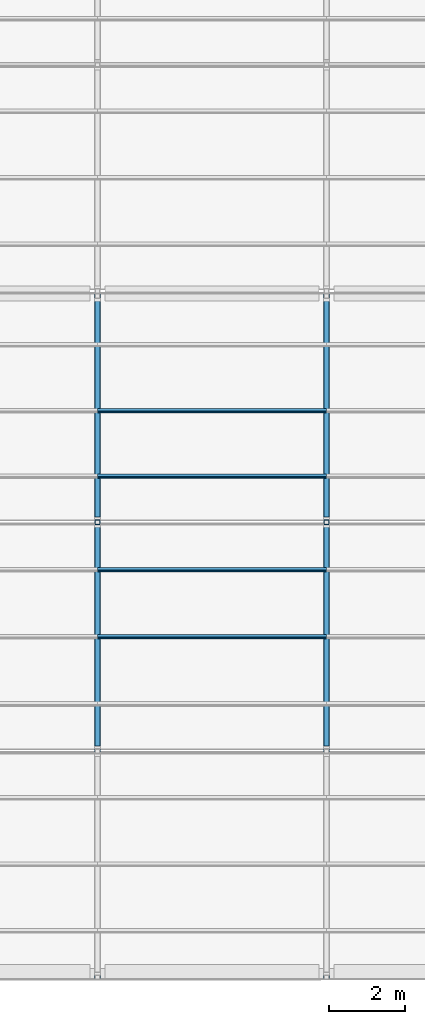
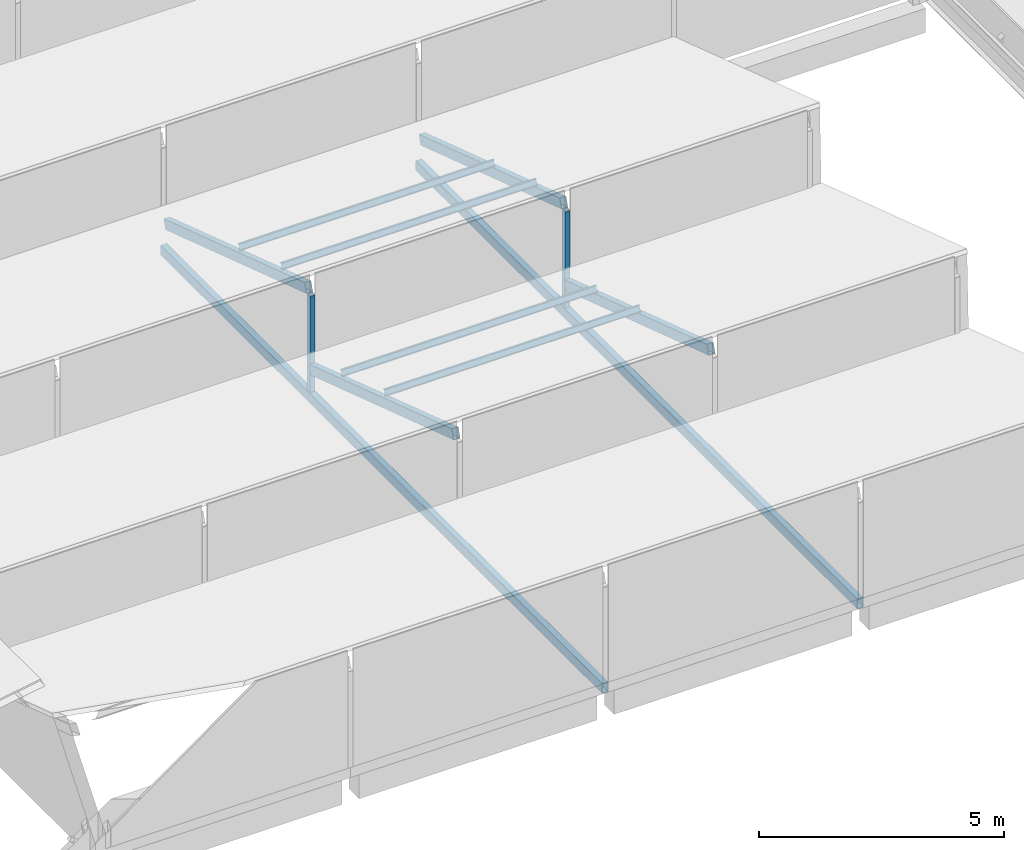
# One storey, part 8 of 118: 12 members.
"""IFC4 building model written with IfcOpenShell, lengths in metres."""

import ifcopenshell
import ifcopenshell.guid

model = None  # the IFC model being written
_history = None  # IfcOwnerHistory: only IFC2X3 demands one
_inside = {}  # id of a spatial element -> (the spatial element, [elements in it])
_under = {}  # id of a project, library or spatial element -> (it, [spatial elements below it])
_declared = {}  # id of a project -> (the project, [libraries it declares])
_typed = {}  # id of a type object -> (the type object, [elements of that type])
_made_of = {}  # id of a material, layer set ... -> (it, [elements and type objects made of it])


def new_model(schema):
    """Start an empty IFC model of exactly this schema.

    Asked for "IFC4X3", IfcOpenShell would pick the latest addendum, in which some entities
    have other attributes; the version numbers below select the first issue.
    IFC2X3 requires an IfcOwnerHistory on every rooted entity: one is made here for all.
    """
    global model, _history
    if schema == "IFC4X3":
        model = ifcopenshell.file(schema_version=(4, 3, 0, 0))
    else:
        model = ifcopenshell.file(schema=schema)
    _inside.clear()
    _under.clear()
    _declared.clear()
    _typed.clear()
    _made_of.clear()
    _history = None
    if model.schema == "IFC2X3":
        org = make("IfcOrganization", Name="unknown")
        user = make(
            "IfcPersonAndOrganization",
            ThePerson=make("IfcPerson", FamilyName="unknown"),
            TheOrganization=org,
        )
        app = make(
            "IfcApplication",
            ApplicationDeveloper=org,
            Version="unknown",
            ApplicationFullName="unknown",
            ApplicationIdentifier="unknown",
        )
        _history = make(
            "IfcOwnerHistory",
            OwningUser=user,
            OwningApplication=app,
            ChangeAction="ADDED",
            CreationDate=0,
        )
    return model


def make(cls, **values):
    """One entity of the class cls with the attributes given. An attribute that is None is left unset."""
    return model.create_entity(
        cls, **{name: value for name, value in values.items() if value is not None}
    )


def rooted(cls, **values):
    """An entity with a GlobalId (a new one), such as an element, a storey or a relation."""
    return make(cls, GlobalId=ifcopenshell.guid.new(), OwnerHistory=_history, **values)


def si_unit(unit_type, name, prefix=None):
    """IfcSIUnit, for example si_unit("LENGTHUNIT", "METRE", prefix="MILLI")."""
    return make("IfcSIUnit", UnitType=unit_type, Prefix=prefix, Name=name)


def assignment(units):
    """IfcUnitAssignment: the units of a project."""
    return None if units is None else make("IfcUnitAssignment", Units=units)


def point(xyz):
    """IfcCartesianPoint."""
    return None if xyz is None else make("IfcCartesianPoint", Coordinates=xyz)


def direction(xyz):
    """IfcDirection."""
    return None if xyz is None else make("IfcDirection", DirectionRatios=xyz)


def frame(location, z_axis=None, x_axis=None):
    """IfcAxis2Placement3D, a coordinate frame: its origin and axes. An axis left out is left unset."""
    return make(
        "IfcAxis2Placement3D",
        Location=point(location),
        Axis=direction(z_axis),
        RefDirection=direction(x_axis),
    )


def frame_2d(location, x_axis=None):
    """IfcAxis2Placement2D, a coordinate frame in the plane: its origin and x axis."""
    return make(
        "IfcAxis2Placement2D", Location=point(location), RefDirection=direction(x_axis)
    )


def origin():
    """The frame at (0, 0, 0) with its axes left unset."""
    return frame((0.0, 0.0, 0.0))


def origin_2d():
    """The frame at (0, 0) in the plane with its x axis left unset."""
    return frame_2d((0.0, 0.0))


def place(relative_to, where):
    """IfcLocalPlacement: puts the frame where relative to a parent placement (None: the world)."""
    return make(
        "IfcLocalPlacement", PlacementRelTo=relative_to, RelativePlacement=where
    )


def context(
    kind, dimensions, precision=None, world=None, true_north=None, identifier=None
):
    """IfcGeometricRepresentationContext, for example the 3D "Model" context."""
    return make(
        "IfcGeometricRepresentationContext",
        ContextIdentifier=identifier,
        ContextType=kind,
        CoordinateSpaceDimension=dimensions,
        Precision=precision,
        WorldCoordinateSystem=world,
        TrueNorth=true_north,
    )


def subcontext(parent, identifier, kind, view, scale=None):
    """IfcGeometricRepresentationSubContext, for example "Body" below "Model"."""
    return make(
        "IfcGeometricRepresentationSubContext",
        ContextIdentifier=identifier,
        ContextType=kind,
        ParentContext=parent,
        TargetScale=scale,
        TargetView=view,
    )


def project(units=None, contexts=None):
    """IfcProject with its units and contexts."""
    return rooted(
        "IfcProject",
        Name="project",
        RepresentationContexts=contexts,
        UnitsInContext=assignment(units),
    )


def spatial(cls, under=None, at=None, **own):
    """A site, building, storey or space (cls), placed at a placement, below another one or the project."""
    s = rooted(cls, ObjectPlacement=at, **own)
    if under is not None:
        _under.setdefault(under.id(), (under, []))[1].append(s)
    return s


def profile(cls, at=None, kind="AREA", **sizes):
    """A parametric profile (cls). Its sizes go by their IFC names, for example OverallWidth=200.0."""
    return make(cls, ProfileType=kind, Position=at, **sizes)


def hollow_rectangle(**sizes):
    """IfcRectangleHollowProfileDef."""
    return profile("IfcRectangleHollowProfileDef", **sizes)


def i_section(**sizes):
    """IfcIShapeProfileDef."""
    return profile("IfcIShapeProfileDef", **sizes)


def extrude(swept, where, along, depth):
    """IfcExtrudedAreaSolid: the profile swept, set in the frame where, extruded along a direction by depth."""
    return make(
        "IfcExtrudedAreaSolid",
        SweptArea=swept,
        Position=where,
        ExtrudedDirection=direction(along),
        Depth=depth,
    )


def shape(context_of_items, identifier, shape_type, items):
    """IfcShapeRepresentation: the items that make up one representation, for example the "Body"."""
    return make(
        "IfcShapeRepresentation",
        ContextOfItems=context_of_items,
        RepresentationIdentifier=identifier,
        RepresentationType=shape_type,
        Items=items,
    )


def material(Name=None, Category=None):
    """IfcMaterial."""
    return make("IfcMaterial", Name=Name, Category=Category)


def material_profile(
    of_material, cross_section, Name=None, Category=None, Priority=None
):
    """IfcMaterialProfile: a cross section and its material."""
    return make(
        "IfcMaterialProfile",
        Name=Name,
        Material=of_material,
        Profile=cross_section,
        Priority=Priority,
        Category=Category,
    )


def profile_set(profiles, Name=None, composite=None):
    """IfcMaterialProfileSet."""
    return make(
        "IfcMaterialProfileSet",
        Name=Name,
        MaterialProfiles=profiles,
        CompositeProfile=composite,
    )


def made_of(thing, what):
    """Note that an element or type object is made of a material, layer set ...; save() writes the relation."""
    if what is not None:
        _made_of.setdefault(what.id(), (what, []))[1].append(thing)
    return thing


def type_object(cls, material=None, **own):
    """A type object (cls), such as IfcWallType, which elements share."""
    return made_of(rooted(cls, **own), material)


def element(
    cls,
    number,
    at=None,
    inside=None,
    cuts=None,
    type_object=None,
    material=None,
    context=None,
    identifier="Body",
    shape_type=None,
    held_by="IfcProductDefinitionShape",
    body=None,
    shapes=None,
    **own,
):
    """One element of the class cls, such as IfcWall. Its Tag is "e" and its number.

    at: its placement. inside: the storey or other place that contains it. cuts: it is an
    opening in that element (IfcRelVoidsElement). A single representation is given by context,
    identifier, shape_type and body (its items); several are given by shapes. held_by: the class
    of the entity that holds the representations. save() writes the other relations.
    """
    e = rooted(cls, Tag="e%d" % number, ObjectPlacement=at, **own)
    if body is not None:
        shapes = [shape(context, identifier, shape_type, body)]
    if shapes is not None:
        e.Representation = make(held_by, Representations=shapes)
    if inside is not None:
        _inside.setdefault(inside.id(), (inside, []))[1].append(e)
    if cuts is not None:
        rooted(
            "IfcRelVoidsElement", RelatingBuildingElement=cuts, RelatedOpeningElement=e
        )
    if type_object is not None:
        _typed.setdefault(type_object.id(), (type_object, []))[1].append(e)
    return made_of(e, material)


def aggregate(whole, parts):
    """IfcRelAggregates: a whole, such as a stair, and the parts it consists of."""
    return rooted("IfcRelAggregates", RelatingObject=whole, RelatedObjects=parts)


def save(model, path):
    """Write the relations noted so far, then the file.

    IfcRelAggregates (storeys below a building ...), IfcRelContainedInSpatialStructure (elements
    in a storey), IfcRelDefinesByType, IfcRelAssociatesMaterial and IfcRelDeclares: one each for
    every whole, place, type object, material and project.
    """
    for whole, parts in _under.values():
        aggregate(whole, parts)
    for where, things in _inside.values():
        rooted(
            "IfcRelContainedInSpatialStructure",
            RelatedElements=things,
            RelatingStructure=where,
        )
    for kind, things in _typed.values():
        rooted("IfcRelDefinesByType", RelatedObjects=things, RelatingType=kind)
    for what, things in _made_of.values():
        rooted("IfcRelAssociatesMaterial", RelatedObjects=things, RelatingMaterial=what)
    for by, libraries in _declared.values():
        rooted("IfcRelDeclares", RelatingContext=by, RelatedDefinitions=libraries)
    model.write(path)


model = new_model("IFC4")

# Units and contexts
model_context = context("Model", 3, precision=1e-05, world=origin(), true_north=direction((0.0, 1.0)))
body_context = subcontext(model_context, "Body", "Model", "MODEL_VIEW")
ifc_project = project(units=[si_unit("LENGTHUNIT", "METRE"), si_unit("AREAUNIT", "SQUARE_METRE"), si_unit("VOLUMEUNIT", "CUBIC_METRE"), si_unit("PLANEANGLEUNIT", "RADIAN"), si_unit("MASSUNIT", "GRAM", prefix="KILO")], contexts=[model_context])

# Site, building, storey
site_placement = place(None, origin())
site = spatial("IfcSite", under=ifc_project, at=site_placement, CompositionType="ELEMENT")
building_placement = place(site_placement, origin())
building = spatial("IfcBuilding", under=site, at=building_placement, Name="Saffron Lane Theatres", CompositionType="ELEMENT")
storey_placement = place(building_placement, frame((0.0, 0.0, 16.5)))
storey = spatial("IfcBuildingStorey", under=building, at=storey_placement, Name="L03", CompositionType="ELEMENT", Elevation=16.5)

# Members
ifc_material_1 = material(Name="Steel Grade 350", Category="steel")
ifc_material_profile_1 = material_profile(ifc_material_1, hollow_rectangle(XDim=0.125, YDim=0.125, WallThickness=0.006103515625, InnerFilletRadius=0.0029296875, OuterFilletRadius=0.009033203125, at=origin_2d()))
ifc_profile_set_1 = profile_set([ifc_material_profile_1], Name="Steel Grade 350")
member_type_1 = type_object("IfcMemberType", Name="ST-STUDIO POST 125x125x6 SHS", PredefinedType="POST", material=ifc_profile_set_1)
for number, where, z_axis, x_axis, name in (
    (1, (18.0, 12.0, 0.25), (0.0, 0.0, 1.0), (1.0, 0.0, 0.0), "GBP22"),
    (2, (24.0, 12.0, 0.25), (0.0, 0.0, 1.0), (1.0, 0.0, 0.0), "GBP30"),
):
    element("IfcMember", number, at=place(storey_placement, frame(where, z_axis=z_axis, x_axis=x_axis)), inside=storey, type_object=member_type_1, Name=name, PredefinedType="POST", context=body_context, shape_type="SweptSolid", body=[
        extrude(hollow_rectangle(XDim=0.125, YDim=0.125, WallThickness=0.006103515625, InnerFilletRadius=0.0029296875, OuterFilletRadius=0.009033203125, at=origin_2d()), origin(), (0.0, 0.0, 1.0), 2.388671875),
    ])
ifc_material_2 = material(Name="Steel Grade 350", Category="steel")
ifc_material_profile_2 = material_profile(ifc_material_2, i_section(OverallWidth=0.074951171875, OverallDepth=0.155029296875, WebThickness=0.006103515625, FlangeThickness=0.009521484375, FilletRadius=0.008056640625, at=origin_2d()))
ifc_profile_set_2 = profile_set([ifc_material_profile_2], Name="Steel Grade 350")
member_type_2 = type_object("IfcMemberType", Name="ST-STUDIO PURLIN 150UB18.0", PredefinedType="PURLIN", material=ifc_profile_set_2)
for number, where, z_axis, x_axis, name in (
    (3, (18.0, 9.0, 2.01416015625), (1.0, 0.0, 0.0), (0.0, 0.949628648787, -0.313377455162), "GBU59"),
    (4, (18.0, 10.762451171875, 1.4326171875), (1.0, 0.0, 0.0), (0.0, 0.949628648787, -0.313377455162), "GBU63"),
    (5, (18.0, 13.2099609375, 2.60498046875), (1.0, 0.0, 0.0), (0.0, 0.949628648787, -0.313377455162), "GBU67"),
    (6, (18.0, 14.93115234375, 2.036865234375), (1.0, 0.0, 0.0), (0.0, 0.949628648787, -0.313377455162), "GBU71"),
):
    element("IfcMember", number, at=place(storey_placement, frame(where, z_axis=z_axis, x_axis=x_axis)), inside=storey, type_object=member_type_2, Name=name, PredefinedType="PURLIN", context=body_context, shape_type="SweptSolid", body=[
        extrude(i_section(OverallWidth=0.074951171875, OverallDepth=0.155029296875, WebThickness=0.006103515625, FlangeThickness=0.009521484375, FilletRadius=0.008056640625, at=origin_2d()), origin(), (0.0, 0.0, 1.0), 6.0),
    ])
ifc_material_3 = material(Name="Steel Grade 350", Category="steel")
ifc_material_profile_3 = material_profile(ifc_material_3, hollow_rectangle(XDim=0.14990234375, YDim=0.25, WallThickness=0.009033203125, InnerFilletRadius=0.00439453125, OuterFilletRadius=0.013427734375, at=origin_2d()))
ifc_profile_set_3 = profile_set([ifc_material_profile_3], Name="Steel Grade 350")
member_type_3 = type_object("IfcMemberType", Name="ST-STUDIO TRUSS CHORD 250x150x9 RHS", PredefinedType="CHORD", material=ifc_profile_set_3)
member_1_placement = place(storey_placement, frame((18.0, 0.02001953125, 0.125), z_axis=(0.0, 1.0, 0.0), x_axis=(-1.0, 0.0, 0.0)))
element("IfcMember", 7, at=member_1_placement, inside=storey, type_object=member_type_3, Name="GBT17", PredefinedType="CHORD", context=body_context, shape_type="SweptSolid", body=[
    extrude(hollow_rectangle(XDim=0.14990234375, YDim=0.25, WallThickness=0.009033203125, InnerFilletRadius=0.00439453125, OuterFilletRadius=0.013427734375, at=origin_2d()), origin(), (0.0, 0.0, 1.0), 17.97998046875),
])
member_2_placement = place(storey_placement, frame((18.0, 6.1015625, 2.757568359375), z_axis=(0.0, 0.949622935999, -0.313394766109), x_axis=(-1.0, 0.0, 0.0)))
element("IfcMember", 8, at=member_2_placement, inside=storey, type_object=member_type_3, Name="GBC21", PredefinedType="CHORD", context=body_context, shape_type="SweptSolid", body=[
    extrude(hollow_rectangle(XDim=0.14990234375, YDim=0.25, WallThickness=0.009033203125, InnerFilletRadius=0.00439453125, OuterFilletRadius=0.013427734375, at=origin_2d()), origin(), (0.0, 0.0, 1.0), 6.1044921875),
])
member_3_placement = place(storey_placement, frame((18.0, 12.1015625, 2.757568359375), z_axis=(0.0, 0.949629130372, -0.313375995807), x_axis=(-1.0, 0.0, 0.0)))
element("IfcMember", 9, at=member_3_placement, inside=storey, type_object=member_type_3, Name="GBC24", PredefinedType="CHORD", context=body_context, shape_type="SweptSolid", body=[
    extrude(hollow_rectangle(XDim=0.14990234375, YDim=0.25, WallThickness=0.009033203125, InnerFilletRadius=0.00439453125, OuterFilletRadius=0.013427734375, at=origin_2d()), origin(), (0.0, 0.0, 1.0), 6.03857421875),
])
member_4_placement = place(storey_placement, frame((24.0, 0.02001953125, 0.125), z_axis=(0.0, 1.0, 0.0), x_axis=(-1.0, 0.0, 0.0)))
element("IfcMember", 10, at=member_4_placement, inside=storey, type_object=member_type_3, Name="GBT25", PredefinedType="CHORD", context=body_context, shape_type="SweptSolid", body=[
    extrude(hollow_rectangle(XDim=0.14990234375, YDim=0.25, WallThickness=0.009033203125, InnerFilletRadius=0.00439453125, OuterFilletRadius=0.013427734375, at=origin_2d()), origin(), (0.0, 0.0, 1.0), 17.97998046875),
])
member_5_placement = place(storey_placement, frame((24.0, 6.1015625, 2.757568359375), z_axis=(0.0, 0.949622935999, -0.313394766109), x_axis=(-1.0, 0.0, 0.0)))
element("IfcMember", 11, at=member_5_placement, inside=storey, type_object=member_type_3, Name="GBC29", PredefinedType="CHORD", context=body_context, shape_type="SweptSolid", body=[
    extrude(hollow_rectangle(XDim=0.14990234375, YDim=0.25, WallThickness=0.009033203125, InnerFilletRadius=0.00439453125, OuterFilletRadius=0.013427734375, at=origin_2d()), origin(), (0.0, 0.0, 1.0), 6.1044921875),
])
member_6_placement = place(storey_placement, frame((24.0, 12.1015625, 2.757568359375), z_axis=(0.0, 0.949629130372, -0.313375995807), x_axis=(-1.0, 0.0, 0.0)))
element("IfcMember", 12, at=member_6_placement, inside=storey, type_object=member_type_3, Name="GBC32", PredefinedType="CHORD", context=body_context, shape_type="SweptSolid", body=[
    extrude(hollow_rectangle(XDim=0.14990234375, YDim=0.25, WallThickness=0.009033203125, InnerFilletRadius=0.00439453125, OuterFilletRadius=0.013427734375, at=origin_2d()), origin(), (0.0, 0.0, 1.0), 6.03857421875),
])

save(model, "model.ifc")
